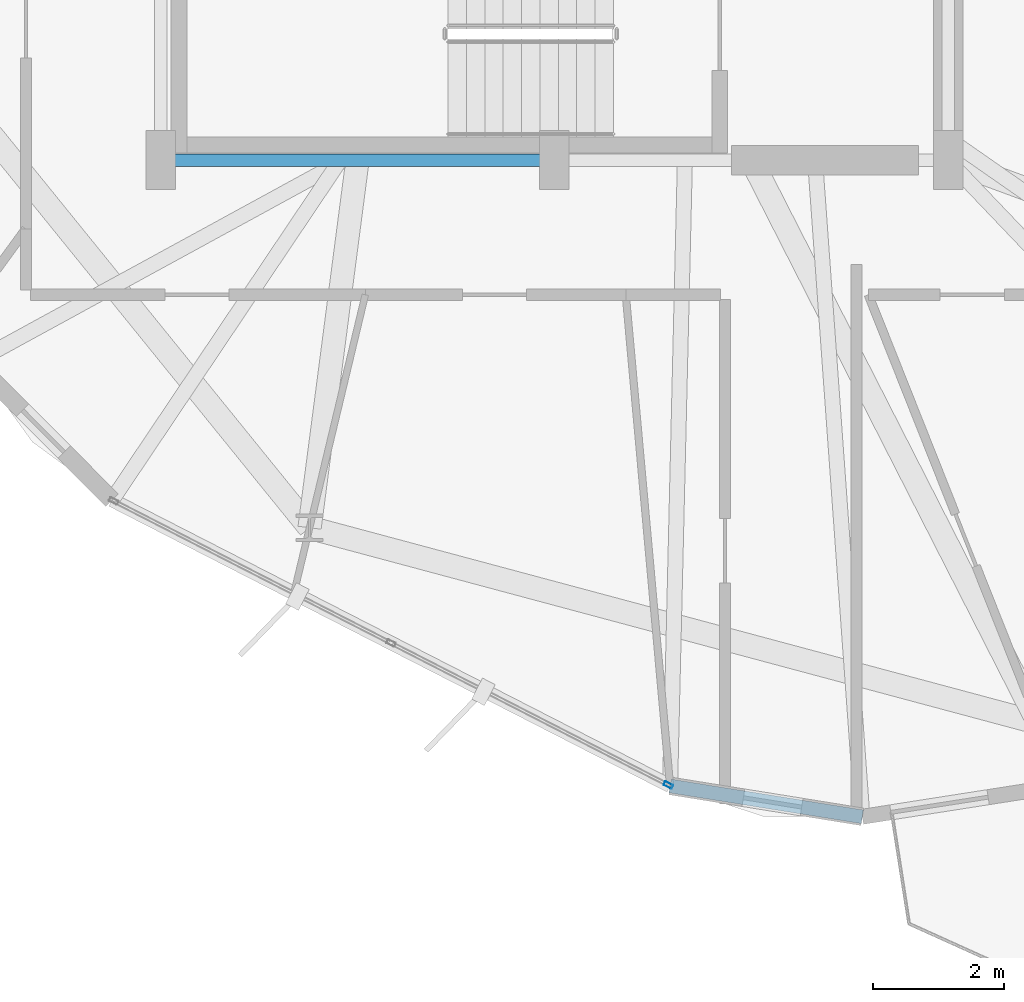
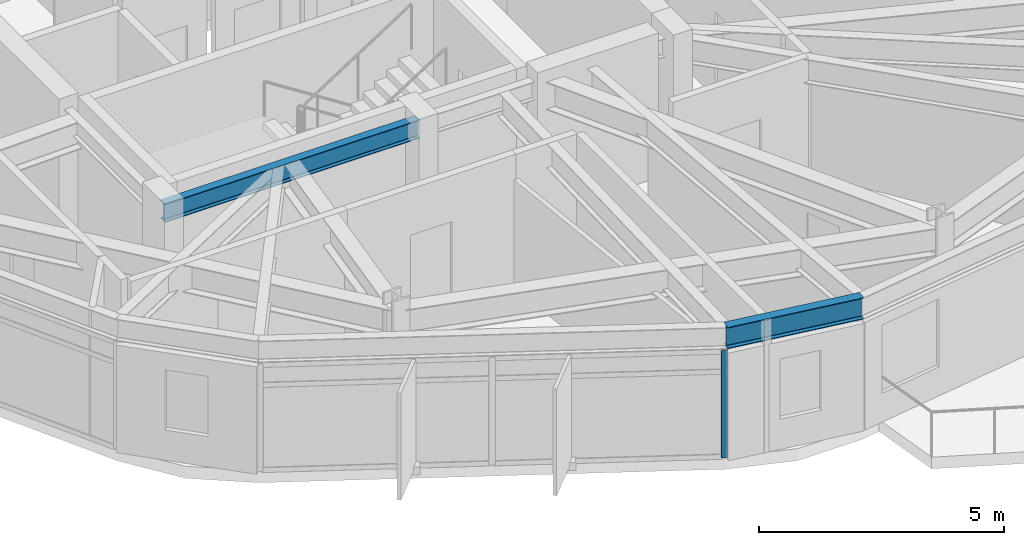
# One storey, part 4 of 27: 2 beams, 1 member, 1 element without a shape of its own.
"""IFC4 building model written with IfcOpenShell, lengths in metres."""

from ifc_helpers import new_model, si_unit, direction, frame, origin, origin_2d, place, context, subcontext, project, spatial, hollow_rectangle, i_section, extrude, material, layer, layer_set, material_profile, profile_set, type_object, element, aggregate, save


model = new_model("IFC4")

# Units and contexts
model_context = context("Model", 3, precision=1e-05, world=origin(), true_north=direction((0.0, 1.0)))
body_context = subcontext(model_context, "Body", "Model", "MODEL_VIEW")
ifc_project = project(units=[si_unit("LENGTHUNIT", "METRE"), si_unit("AREAUNIT", "SQUARE_METRE"), si_unit("VOLUMEUNIT", "CUBIC_METRE"), si_unit("PLANEANGLEUNIT", "RADIAN"), si_unit("MASSUNIT", "GRAM", prefix="KILO")], contexts=[model_context])

# Site, building, storey
site_placement = place(None, origin())
site = spatial("IfcSite", under=ifc_project, at=site_placement, CompositionType="ELEMENT")
building_placement = place(site_placement, origin())
building = spatial("IfcBuilding", under=site, at=building_placement, Name="Soratama Intermodal Tower", CompositionType="ELEMENT")
storey_placement = place(building_placement, frame((0.0, 0.0, 197.800048828125)))
storey = spatial("IfcBuildingStorey", under=building, at=storey_placement, Name="L49", CompositionType="ELEMENT", Elevation=197.800048828125)

# Beams
ifc_material_1 = material(Name="Structural steel ASTM A992 Grade 50", Category="steel")
ifc_material_profile_1 = material_profile(ifc_material_1, i_section(OverallWidth=0.19091796875, OverallDepth=0.4599609375, WebThickness=0.010009765625, FlangeThickness=0.01611328125, FilletRadius=0.010986328125, at=origin_2d()), Name="W18X55")
ifc_profile_set_1 = profile_set([ifc_material_profile_1], Name="Structural steel ASTM A992 Grade 50")
beam_type_1 = type_object("IfcBeamType", Name="BM-FLR-W18X55", PredefinedType="BEAM", material=ifc_profile_set_1)
beam_1_placement = place(storey_placement, frame((32.60009765625, 15.0, 3.070068359375), z_axis=(1.0, 0.0, 0.0), x_axis=(0.0, 1.0, 0.0)))
element("IfcBeam", 1, at=beam_1_placement, inside=storey, type_object=beam_type_1, Name="BM-L49-CRING-01", PredefinedType="BEAM", context=body_context, shape_type="SweptSolid", body=[
    extrude(i_section(OverallWidth=0.19091796875, OverallDepth=0.4599609375, WebThickness=0.010009765625, FlangeThickness=0.01611328125, FilletRadius=0.010986328125, at=origin_2d()), origin(), (0.0, 0.0, 1.0), 6.0),
])
ifc_material_2 = material(Name="Structural steel ASTM A992 Grade 50", Category="steel")
ifc_material_profile_2 = material_profile(ifc_material_2, i_section(OverallWidth=0.2099609375, OverallDepth=0.537109375, WebThickness=0.010986328125, FlangeThickness=0.017333984375, FilletRadius=0.012939453125, at=origin_2d()), Name="W21X68")
ifc_profile_set_2 = profile_set([ifc_material_profile_2], Name="Structural steel ASTM A992 Grade 50")
beam_type_2 = type_object("IfcBeamType", Name="BM-SPN-W21X68", PredefinedType="SPANDREL", material=ifc_profile_set_2)
beam_2_placement = place(storey_placement, frame((40.362060546875, 5.467041015625, 3.031494140625), z_axis=(0.98737017334, -0.158430239533, 0.0), x_axis=(0.158430239533, 0.98737017334, 0.0)))
element("IfcBeam", 2, at=beam_2_placement, inside=storey, type_object=beam_type_2, Name="BS-L49-CRN06", PredefinedType="SPANDREL", context=body_context, shape_type="SweptSolid", body=[
    extrude(i_section(OverallWidth=0.2099609375, OverallDepth=0.537109375, WebThickness=0.010986328125, FlangeThickness=0.017333984375, FilletRadius=0.012939453125, at=origin_2d()), origin(), (0.0, 0.0, 1.0), 2.96630859375),
])

# Curtain wall, member
ifc_material_3 = material(Name="Double-glazed aluminium curtain wall", Category="aluminium")
ifc_layer = layer(ifc_material_3, 0.159912109375)
ifc_layer_set = layer_set([ifc_layer], Name="Double-glazed aluminium curtain wall")
curtain_wall_type = type_object("IfcCurtainWallType", Name="CW-SYS-5", PredefinedType="NOTDEFINED", material=ifc_layer_set)
curtain_wall_placement = place(storey_placement, origin())
curtain_wall = element("IfcCurtainWall", 3, at=curtain_wall_placement, inside=storey, type_object=curtain_wall_type, Name="L49 Faceted Curtain Wall F06", PredefinedType="NOTDEFINED")
ifc_material_4 = material(Name="Anodised aluminium AA 6063-T6", Category="aluminium")
ifc_material_profile_3 = material_profile(ifc_material_4, hollow_rectangle(XDim=0.06494140625, YDim=0.139892578125, WallThickness=0.0048828125, InnerFilletRadius=0.0048828125, OuterFilletRadius=0.010009765625, at=origin_2d()), Name="CWM140X65X5")
ifc_profile_set_3 = profile_set([ifc_material_profile_3], Name="Anodised aluminium AA 6063-T6")
member_type = type_object("IfcMemberType", Name="MT-CWM-5", PredefinedType="MULLION", material=ifc_profile_set_3)
member_placement = place(storey_placement, frame((40.33544921875, 5.480712890625, 0.0), z_axis=(0.0, 0.0, 1.0), x_axis=(0.455860497554, 0.890051238283, 0.0)))
member = element("IfcMember", 4, at=member_placement, type_object=member_type, Name="CW-5 mullion 3", PredefinedType="MULLION", context=body_context, shape_type="SweptSolid", body=[
    extrude(hollow_rectangle(XDim=0.06494140625, YDim=0.139892578125, WallThickness=0.0048828125, InnerFilletRadius=0.0048828125, OuterFilletRadius=0.010009765625, at=origin_2d()), origin(), (0.0, 0.0, 1.0), 2.678955078125),
])
aggregate(curtain_wall, [member])

save(model, "model.ifc")
